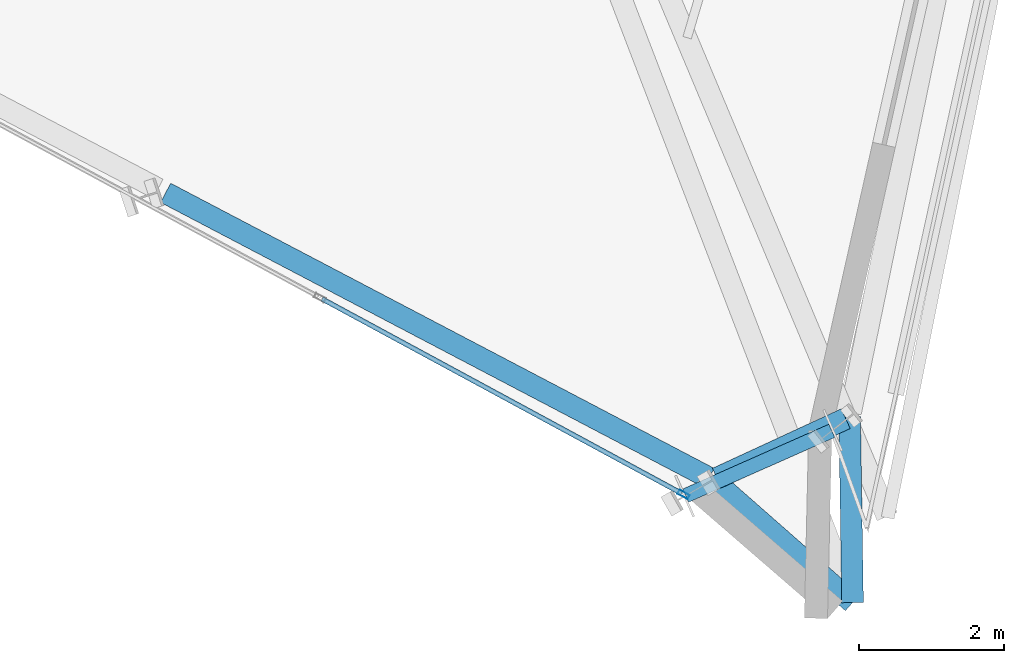
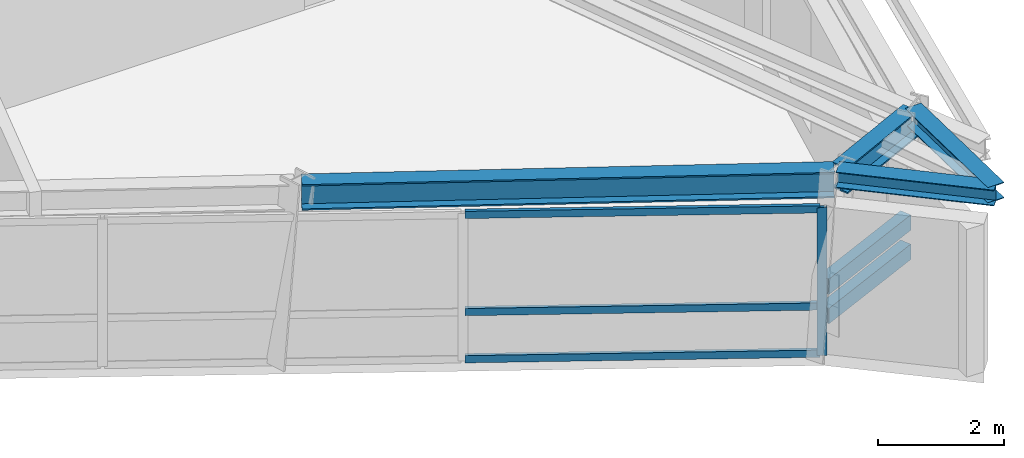
# One storey, part 5 of 15: 6 members, 4 beams, 1 element without a shape of its own.
"""IFC4 building model written with IfcOpenShell, lengths in metres."""

from ifc_helpers import new_model, si_unit, direction, frame, origin, origin_2d, place, context, subcontext, project, spatial, hollow_rectangle, i_section, extrude, source, transform, mapped, material, material_profile, profile_set, type_object, element, aggregate, save


model = new_model("IFC4")

# Units and contexts
model_context = context("Model", 3, precision=1e-05, world=origin(), true_north=direction((0.0, 1.0)))
body_context = subcontext(model_context, "Body", "Model", "MODEL_VIEW")
ifc_project = project(units=[si_unit("LENGTHUNIT", "METRE"), si_unit("AREAUNIT", "SQUARE_METRE"), si_unit("VOLUMEUNIT", "CUBIC_METRE"), si_unit("PLANEANGLEUNIT", "RADIAN"), si_unit("MASSUNIT", "GRAM", prefix="KILO")], contexts=[model_context])

# Site, building, storey
site_placement = place(None, origin())
site = spatial("IfcSite", under=ifc_project, at=site_placement, CompositionType="ELEMENT")
building_placement = place(site_placement, origin())
building = spatial("IfcBuilding", under=site, at=building_placement, Name="Olszyna Solenne Hotel", CompositionType="ELEMENT")
storey_placement = place(building_placement, frame((0.0, 0.0, 270.5)))
storey = spatial("IfcBuildingStorey", under=building, at=storey_placement, Name="L72", CompositionType="ELEMENT", Elevation=270.5)

# Beams
ifc_material_1 = material(Name="Steel S355J2", Category="steel")
ifc_material_profile_1 = material_profile(ifc_material_1, i_section(OverallWidth=0.300048828125, OverallDepth=0.5, WebThickness=0.014404296875, FlangeThickness=0.028076171875, at=origin_2d()), Name="HEB 500", Category="load-bearing")
ifc_profile_set_1 = profile_set([ifc_material_profile_1], Name="Steel S355J2")
beam_type_1 = type_object("IfcBeamType", Name="BM-S3", PredefinedType="BEAM", material=ifc_profile_set_1)
shared_shape_1 = source(origin(), body_context, "Body", "SweptSolid", [
    extrude(i_section(OverallWidth=0.300048828125, OverallDepth=0.5, WebThickness=0.014404296875, FlangeThickness=0.028076171875, at=origin_2d()), origin(), (0.0, 0.0, 1.0), 8.492919921875),
])
beam_1_placement = place(storey_placement, frame((37.3720703125, 8.873046875, 3.1298828125), z_axis=(0.885583281091, -0.464480626347, 0.0), x_axis=(0.464480626347, 0.885583281091, 0.0)))
element("IfcBeam", 1, at=beam_1_placement, inside=storey, type_object=beam_type_1, Name="Perimeter spandrel beam BM-S3 B-L72-2118", PredefinedType="BEAM", context=body_context, shape_type="MappedRepresentation", body=[
    mapped(shared_shape_1, transform((0.0, 0.0, 0.0), x_axis=(1.0, 0.0, 0.0), y_axis=(0.0, 1.0, 0.0), z_axis=(0.0, 0.0, 1.0), scale=1.0)),
])
shared_shape_2 = source(origin(), body_context, "Body", "SweptSolid", [
    extrude(i_section(OverallWidth=0.300048828125, OverallDepth=0.5, WebThickness=0.014404296875, FlangeThickness=0.028076171875, at=origin_2d()), origin(), (0.0, 0.0, 1.0), 1.96142578125),
])
beam_2_placement = place(storey_placement, frame((45.000732421875, 4.925537109375, 3.1298828125), z_axis=(0.907769852341, 0.419468586643, 0.0), x_axis=(-0.419468586643, 0.907769852341, 0.0)))
element("IfcBeam", 2, at=beam_2_placement, inside=storey, type_object=beam_type_1, Name="Perimeter spandrel beam BM-S3 B-L72-2119", PredefinedType="BEAM", context=body_context, shape_type="MappedRepresentation", body=[
    mapped(shared_shape_2, transform((0.0, 0.0, 0.0), x_axis=(1.0, 0.0, 0.0), y_axis=(0.0, 1.0, 0.0), z_axis=(0.0, 0.0, 1.0), scale=1.0)),
])
ifc_material_profile_2 = material_profile(ifc_material_1, i_section(OverallWidth=0.300048828125, OverallDepth=0.31005859375, WebThickness=0.009033203125, FlangeThickness=0.015380859375, at=origin_2d()), Name="HEA 320", Category="load-bearing")
ifc_profile_set_2 = profile_set([ifc_material_profile_2], Name="Steel S355J2")
beam_type_2 = type_object("IfcBeamType", Name="BM-G3", PredefinedType="BEAM", material=ifc_profile_set_2)
shared_shape_3 = source(origin(), body_context, "Body", "SweptSolid", [
    extrude(i_section(OverallWidth=0.300048828125, OverallDepth=0.31005859375, WebThickness=0.009033203125, FlangeThickness=0.015380859375, at=origin_2d()), origin(), (0.0, 0.0, 1.0), 2.570068359375),
])
for number, where, z_axis, x_axis, name in (
    (3, (44.9462890625, 4.900390625, 3.22509765625), (0.751097809898, -0.660190942051, 0.0), (0.660190942051, 0.751097809898, 0.0), "Prism side edge beam BM-G3 B-L72-2132"),
    (4, (46.835693359375, 5.7734375, 3.22509765625), (0.015958446341, -0.999872655887, 0.0), (0.999872655887, 0.015958446341, 0.0), "Prism side edge beam BM-G3 B-L72-2133"),
):
    element("IfcBeam", number, at=place(storey_placement, frame(where, z_axis=z_axis, x_axis=x_axis)), inside=storey, type_object=beam_type_2, Name=name, PredefinedType="BEAM", context=body_context, shape_type="MappedRepresentation", body=[
        mapped(shared_shape_3, transform((0.0, 0.0, 0.0), x_axis=(1.0, 0.0, 0.0), y_axis=(0.0, 1.0, 0.0), z_axis=(0.0, 0.0, 1.0), scale=1.0)),
    ])

# Members
ifc_material_profile_3 = material_profile(ifc_material_1, hollow_rectangle(XDim=0.199951171875, YDim=0.300048828125, WallThickness=0.01611328125, at=origin_2d()), Name="RHS 300x200x16", Category="load-bearing")
ifc_profile_set_3 = profile_set([ifc_material_profile_3], Name="Steel S355J2")
member_type_1 = type_object("IfcMemberType", Name="CH-PR1", PredefinedType="CHORD", material=ifc_profile_set_3)
shared_shape_4 = source(origin(), body_context, "Body", "SweptSolid", [
    extrude(hollow_rectangle(XDim=0.199951171875, YDim=0.300048828125, WallThickness=0.01611328125, at=origin_2d()), origin(), (0.0, 0.0, 1.0), 2.212646484375),
])
for number, where, z_axis, x_axis, name in (
    (5, (44.566650390625, 4.683837890625, 1.35009765625), (0.914288683143, 0.405063209729, 0.0), (-0.405063209729, 0.914288683143, 0.0), "Glass-prism tie chord CH-PR1 M-L72-PR1"),
    (6, (44.566650390625, 4.683837890625, 0.780029296875), (0.914288683143, 0.405063209729, 0.0), (-0.405063209729, 0.914288683143, 0.0), "Glass-prism tie chord CH-PR1 M-L72-PR2"),
):
    element("IfcMember", number, at=place(storey_placement, frame(where, z_axis=z_axis, x_axis=x_axis)), inside=storey, type_object=member_type_1, Name=name, PredefinedType="CHORD", context=body_context, shape_type="MappedRepresentation", body=[
        mapped(shared_shape_4, transform((0.0, 0.0, 0.0), x_axis=(1.0, 0.0, 0.0), y_axis=(0.0, 1.0, 0.0), z_axis=(0.0, 0.0, 1.0), scale=1.0)),
    ])

# Curtain wall, members
ifc_material_2 = material(Name="Anodised bronze aluminium", Category="aluminium")
curtain_wall_type = type_object("IfcCurtainWallType", Name="CW-SYS-4", PredefinedType="NOTDEFINED", material=ifc_material_2)
curtain_wall_placement = place(storey_placement, origin())
curtain_wall = element("IfcCurtainWall", 7, at=curtain_wall_placement, inside=storey, type_object=curtain_wall_type, Name="Unitised curtain wall CW-SYS-4 CW-L72-01", PredefinedType="NOTDEFINED")
ifc_material_profile_4 = material_profile(ifc_material_2, hollow_rectangle(XDim=0.06494140625, YDim=0.159912109375, WallThickness=0.00390625, at=origin_2d()), Name="MULL 160x65x4", Category="load-bearing")
ifc_profile_set_4 = profile_set([ifc_material_profile_4], Name="Anodised bronze aluminium")
member_type_2 = type_object("IfcMemberType", Name="CW-M3", PredefinedType="MULLION", material=ifc_profile_set_4)
shared_shape_5 = source(origin(), body_context, "Body", "SweptSolid", [
    extrude(hollow_rectangle(XDim=0.06494140625, YDim=0.159912109375, WallThickness=0.00390625, at=origin_2d()), origin(), (0.0, 0.0, 1.0), 2.8720703125),
])
member_1_placement = place(storey_placement, frame((44.5380859375, 4.69921875, 0.0), z_axis=(0.0, 0.0, 1.0), x_axis=(0.475903760408, 0.879497362605, 0.0)))
member_1 = element("IfcMember", 8, at=member_1_placement, type_object=member_type_2, Name="Curtain-wall mullion CW-M3 CM-L72-01-04", PredefinedType="MULLION", context=body_context, shape_type="MappedRepresentation", body=[
    mapped(shared_shape_5, transform((0.0, 0.0, 0.0), x_axis=(1.0, 0.0, 0.0), y_axis=(0.0, 1.0, 0.0), z_axis=(0.0, 0.0, 1.0), scale=1.0)),
])
ifc_material_profile_5 = material_profile(ifc_material_2, hollow_rectangle(XDim=0.06494140625, YDim=0.139892578125, WallThickness=0.00390625, at=origin_2d()), Name="TRAN 140x65x4", Category="load-bearing")
ifc_profile_set_5 = profile_set([ifc_material_profile_5], Name="Anodised bronze aluminium")
member_type_3 = type_object("IfcMemberType", Name="CW-T2", PredefinedType="USERDEFINED", material=ifc_profile_set_5)
shared_shape_6 = source(origin(), body_context, "Body", "SweptSolid", [
    extrude(hollow_rectangle(XDim=0.06494140625, YDim=0.139892578125, WallThickness=0.00390625, at=origin_2d()), origin(), (0.0, 0.0, 1.0), 5.654541015625),
])
member_2_placement = place(storey_placement, frame((39.536376953125, 7.40576171875, 0.032470703125), z_axis=(0.879504341971, -0.475890861915, 0.0), x_axis=(0.475890861915, 0.879504341971, 0.0)))
member_2 = element("IfcMember", 9, at=member_2_placement, type_object=member_type_3, Name="Curtain-wall transom CW-T2 CT-L72-01-07", ObjectType="TRANSOM", PredefinedType="USERDEFINED", context=body_context, shape_type="MappedRepresentation", body=[
    mapped(shared_shape_6, transform((0.0, 0.0, 0.0), x_axis=(1.0, 0.0, 0.0), y_axis=(0.0, 1.0, 0.0), z_axis=(0.0, 0.0, 1.0), scale=1.0)),
])
member_3_placement = place(storey_placement, frame((39.536376953125, 7.40576171875, 0.949951171875), z_axis=(0.879504341971, -0.475890861915, 0.0), x_axis=(0.475890861915, 0.879504341971, 0.0)))
member_3 = element("IfcMember", 10, at=member_3_placement, type_object=member_type_3, Name="Curtain-wall transom CW-T2 CT-L72-01-08", ObjectType="TRANSOM", PredefinedType="USERDEFINED", context=body_context, shape_type="MappedRepresentation", body=[
    mapped(shared_shape_6, transform((0.0, 0.0, 0.0), x_axis=(1.0, 0.0, 0.0), y_axis=(0.0, 1.0, 0.0), z_axis=(0.0, 0.0, 1.0), scale=1.0)),
])
member_4_placement = place(storey_placement, frame((39.536376953125, 7.40576171875, 2.839599609375), z_axis=(0.879504341971, -0.475890861915, 0.0), x_axis=(0.475890861915, 0.879504341971, 0.0)))
member_4 = element("IfcMember", 11, at=member_4_placement, type_object=member_type_3, Name="Curtain-wall transom CW-T2 CT-L72-01-09", ObjectType="TRANSOM", PredefinedType="USERDEFINED", context=body_context, shape_type="MappedRepresentation", body=[
    mapped(shared_shape_6, transform((0.0, 0.0, 0.0), x_axis=(1.0, 0.0, 0.0), y_axis=(0.0, 1.0, 0.0), z_axis=(0.0, 0.0, 1.0), scale=1.0)),
])
aggregate(curtain_wall, [member_1, member_2, member_3, member_4])

save(model, "model.ifc")
